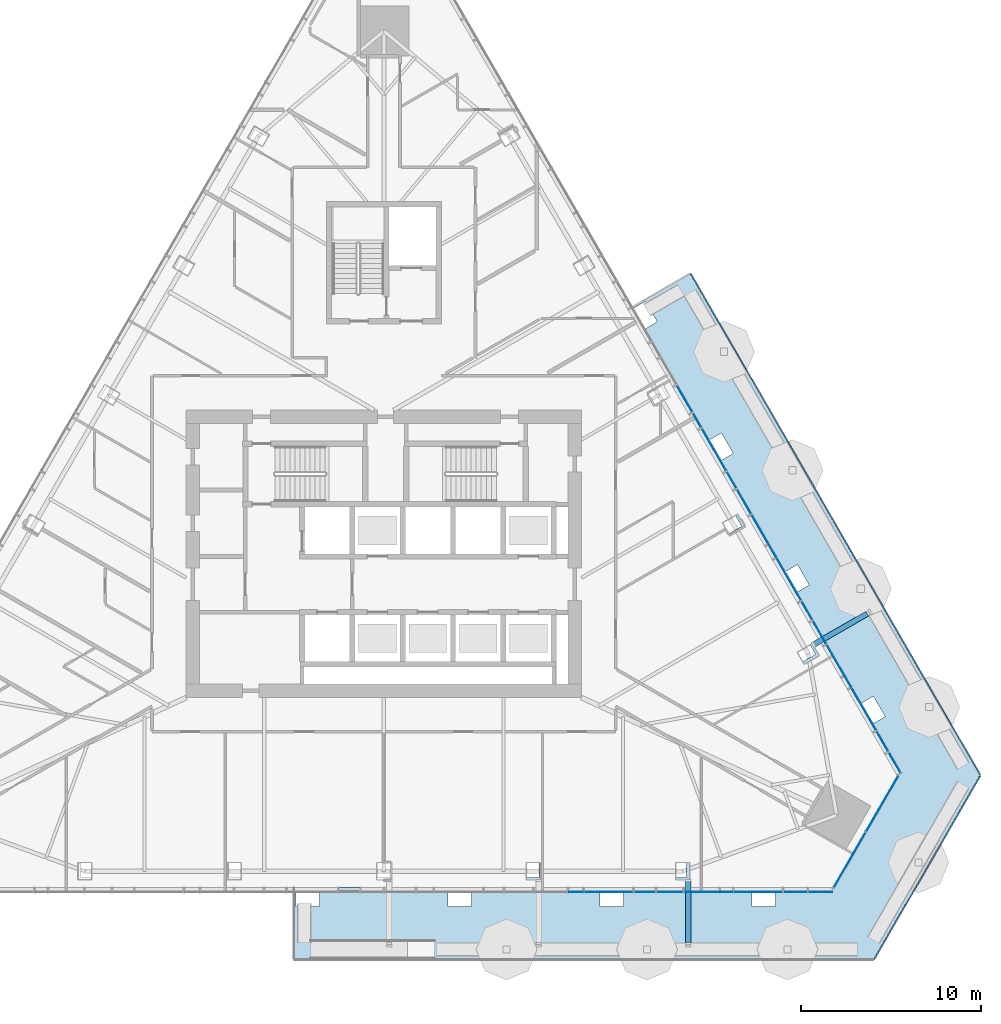
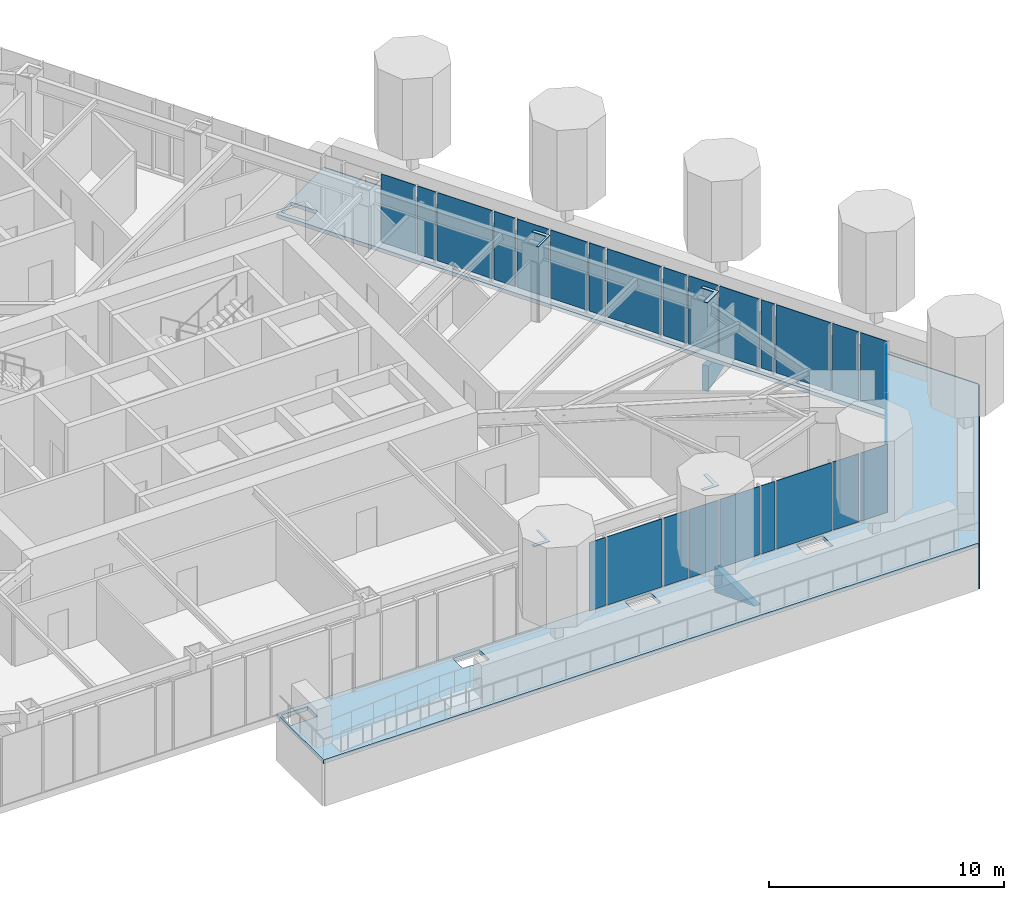
# One storey, part 9 of 18: 34 plates, 1 slab, 3 elements without a shape of their own.
"""IFC4 building model written with IfcOpenShell, lengths in metres."""

from ifc_helpers import new_model, si_unit, direction, frame, origin, place, context, subcontext, project, spatial, polyline, outline, extrude, material, layer, layer_set, type_object, element, aggregate, save


model = new_model("IFC4")

# Units and contexts
model_context = context("Model", 3, precision=1e-05, world=origin(), true_north=direction((0.0, 1.0)))
body_context = subcontext(model_context, "Body", "Model", "MODEL_VIEW")
ifc_project = project(units=[si_unit("LENGTHUNIT", "METRE"), si_unit("AREAUNIT", "SQUARE_METRE"), si_unit("VOLUMEUNIT", "CUBIC_METRE"), si_unit("PLANEANGLEUNIT", "RADIAN"), si_unit("MASSUNIT", "GRAM", prefix="KILO")], contexts=[model_context])

# Site, building, storey
site_placement = place(None, origin())
site = spatial("IfcSite", under=ifc_project, at=site_placement, CompositionType="ELEMENT")
building_placement = place(site_placement, origin())
building = spatial("IfcBuilding", under=site, at=building_placement, Name="Firuza Gate Tower and Library", CompositionType="ELEMENT")
storey_placement = place(building_placement, frame((0.0, 0.0, 226.0)))
storey = spatial("IfcBuildingStorey", under=building, at=storey_placement, Name="L53", CompositionType="ELEMENT", Elevation=226.0)

# Plates
ifc_material_1 = material(Name="Steel S355", Category="steel")
ifc_layer_1 = layer(ifc_material_1, 0.030029296875)
ifc_layer_set_1 = layer_set([ifc_layer_1], Name="Column infill plate 30 Steel S355")
plate_type_1 = type_object("IfcPlateType", Name="Column infill plate 30 Steel S355", PredefinedType="SHEET", material=ifc_layer_set_1)
placement_1 = place(storey_placement, frame((0.0, 0.0, 3.89990234375)))
element("IfcPlate", 1, at=placement_1, inside=storey, type_object=plate_type_1, Name="Infill plate L53:S4", PredefinedType="SHEET", context=body_context, shape_type="SweptSolid", body=[
    extrude(outline(polyline([(83.717529296875, 57.836669921875), (83.62548828125, 57.836669921875), (83.62548828125, 56.99609375), (82.91748046875, 56.99609375), (82.91748046875, 56.836669921875), (83.717529296875, 56.836669921875), (83.717529296875, 57.836669921875)])), origin(), (0.0, 0.0, 1.0), 0.030029296875),
])
element("IfcPlate", 2, at=placement_1, inside=storey, type_object=plate_type_1, Name="Infill plate L53:S5", PredefinedType="SHEET", context=body_context, shape_type="SweptSolid", body=[
    extrude(outline(polyline([(92.03515625, 57.836669921875), (91.85107421875, 57.836669921875), (91.85107421875, 56.99609375), (91.235107421875, 56.99609375), (91.235107421875, 56.836669921875), (92.03515625, 56.836669921875), (92.03515625, 57.836669921875)])), origin(), (0.0, 0.0, 1.0), 0.030029296875),
])
element("IfcPlate", 3, at=placement_1, inside=storey, type_object=plate_type_1, Name="Infill plate L53:E1", PredefinedType="SHEET", context=body_context, shape_type="SweptSolid", body=[
    extrude(outline(polyline([(98.84765625, 70.021728515625), (98.70947265625, 69.94189453125), (99.017333984375, 69.408447265625), (98.28955078125, 68.98828125), (98.381591796875, 68.828857421875), (99.24755859375, 69.328857421875), (98.84765625, 70.021728515625)])), origin(), (0.0, 0.0, 1.0), 0.030029296875),
])
element("IfcPlate", 4, at=placement_1, inside=storey, type_object=plate_type_1, Name="Infill plate L53:E2", PredefinedType="SHEET", context=body_context, shape_type="SweptSolid", body=[
    extrude(outline(polyline([(94.688720703125, 77.224853515625), (94.55078125, 77.145263671875), (94.90478515625, 76.531982421875), (94.1767578125, 76.11181640625), (94.22265625, 76.031982421875), (95.0888671875, 76.531982421875), (94.688720703125, 77.224853515625)])), origin(), (0.0, 0.0, 1.0), 0.030029296875),
])

# Curtain wall, plates
ifc_material_2 = material(Name="Aluminium 6063-T6", Category="aluminium")
ifc_layer_2 = layer(ifc_material_2, 0.14990234375)
ifc_layer_set_2 = layer_set([ifc_layer_2], Name="Corner curtain wall, chamfers")
curtain_wall_type_1 = type_object("IfcCurtainWallType", Name="Corner curtain wall, chamfers", PredefinedType="NOTDEFINED", material=ifc_layer_set_2)
placement_2 = place(storey_placement, origin())
curtain_wall_1 = element("IfcCurtainWall", 5, at=placement_2, inside=storey, type_object=curtain_wall_type_1, Name="CW4 L53 SE corner", PredefinedType="NOTDEFINED")
ifc_material_3 = material(Name="Fritted glass", Category="glass")
ifc_layer_3 = layer(ifc_material_3, 0.030029296875)
ifc_layer_set_3 = layer_set([ifc_layer_3], Name="Fritted glass unit, corners")
plate_type_2 = type_object("IfcPlateType", Name="Fritted glass unit, corners", PredefinedType="CURTAIN_PANEL", material=ifc_layer_set_3)
plate_5_placement = place(storey_placement, frame((100.029052734375, 56.388671875, 0.14990234375), z_axis=(0.866016723041, -0.500015035186, 0.0), x_axis=(0.500015035186, 0.866016723041, 0.0)))
plate_5 = element("IfcPlate", 6, at=plate_5_placement, type_object=plate_type_2, Name="Glass unit", PredefinedType="CURTAIN_PANEL", context=body_context, shape_type="SweptSolid", body=[
    extrude(outline(polyline([(0.0, 0.0), (3.5633694106530625, 0.0), (3.5633694106530625, 3.550048828125), (0.0, 3.550048828125), (0.0, 0.0)])), origin(), (0.0, 0.0, -1.0), 0.030029296875),
])
plate_6_placement = place(storey_placement, frame((101.850830078125, 59.5439453125, 0.14990234375), z_axis=(0.866046390552, -0.49996364809, 0.0), x_axis=(0.49996364809, 0.866046390552, 0.0)))
plate_6 = element("IfcPlate", 7, at=plate_6_placement, type_object=plate_type_2, Name="Glass unit", PredefinedType="CURTAIN_PANEL", context=body_context, shape_type="SweptSolid", body=[
    extrude(outline(polyline([(0.0, 0.0), (3.563247342942594, 0.0), (3.563247342942594, 3.550048828125), (0.0, 3.550048828125), (0.0, 0.0)])), origin(), (0.0, 0.0, -1.0), 0.030029296875),
])
aggregate(curtain_wall_1, [plate_5, plate_6])

ifc_material_4 = material(Name="Aluminium 6063-T6", Category="aluminium")
ifc_layer_4 = layer(ifc_material_4, 0.14990234375)
ifc_layer_set_4 = layer_set([ifc_layer_4], Name="Unitised curtain wall, hotel")
curtain_wall_type_2 = type_object("IfcCurtainWallType", Name="Unitised curtain wall, hotel", PredefinedType="NOTDEFINED", material=ifc_layer_set_4)
curtain_wall_2 = element("IfcCurtainWall", 8, at=placement_2, inside=storey, type_object=curtain_wall_type_2, Name="CW2 L53 S face", PredefinedType="NOTDEFINED")
ifc_material_5 = material(Name="Fritted glass", Category="glass")
ifc_layer_5 = layer(ifc_material_5, 0.030029296875)
ifc_layer_set_5 = layer_set([ifc_layer_5], Name="Fritted glass unit, hotel")
plate_type_3 = type_object("IfcPlateType", Name="Fritted glass unit, hotel", PredefinedType="CURTAIN_PANEL", material=ifc_layer_set_5)
plate_7_placement = place(storey_placement, frame((90.172119140625, 56.176513671875, 0.14990234375), z_axis=(0.0, -1.0, 0.0), x_axis=(1.0, 0.0, 0.0)))
plate_7 = element("IfcPlate", 9, at=plate_7_placement, type_object=plate_type_3, Name="Glass unit", PredefinedType="CURTAIN_PANEL", context=body_context, shape_type="SweptSolid", body=[
    extrude(outline(polyline([(0.0, 0.0), (1.451904296875, 0.0), (1.451904296875, 3.550048828125), (0.0, 3.550048828125), (0.0, 0.0)])), origin(), (0.0, 0.0, -1.0), 0.030029296875),
])
plate_8_placement = place(storey_placement, frame((91.7041015625, 56.176513671875, 0.14990234375), z_axis=(0.0, -1.0, 0.0), x_axis=(1.0, 0.0, 0.0)))
plate_8 = element("IfcPlate", 10, at=plate_8_placement, type_object=plate_type_3, Name="Glass unit", PredefinedType="CURTAIN_PANEL", context=body_context, shape_type="SweptSolid", body=[
    extrude(outline(polyline([(0.0, 0.0), (1.946533203125, 0.0), (1.946533203125, 3.550048828125), (0.0, 3.550048828125), (0.0, 0.0)])), origin(), (0.0, 0.0, -1.0), 0.030029296875),
])
plate_9_placement = place(storey_placement, frame((98.627685546875, 56.176513671875, 0.14990234375), z_axis=(0.0, -1.0, 0.0), x_axis=(1.0, 0.0, 0.0)))
plate_9 = element("IfcPlate", 11, at=plate_9_placement, type_object=plate_type_3, Name="Glass unit", PredefinedType="CURTAIN_PANEL", context=body_context, shape_type="SweptSolid", body=[
    extrude(outline(polyline([(0.0, 0.0), (1.328369140625, 0.0), (1.328369140625, 3.550048828125), (0.0, 3.550048828125), (0.0, 0.0)])), origin(), (0.0, 0.0, -1.0), 0.030029296875),
])

curtain_wall_3 = element("IfcCurtainWall", 12, at=placement_2, inside=storey, type_object=curtain_wall_type_2, Name="CW2 L53 E face", PredefinedType="NOTDEFINED")
plate_10_placement = place(storey_placement, frame((103.779541015625, 62.799072265625, 0.14990234375), z_axis=(0.866063163075, 0.499934593286, 0.0), x_axis=(-0.499934593286, 0.866063163075, 0.0)))
plate_10 = element("IfcPlate", 13, at=plate_10_placement, type_object=plate_type_3, Name="Glass unit", PredefinedType="CURTAIN_PANEL", context=body_context, shape_type="SweptSolid", body=[
    extrude(outline(polyline([(0.0, 0.0), (1.3282987593136344, 0.0), (1.3282987593136344, 3.550048828125), (0.0, 3.550048828125), (0.0, 0.0)])), origin(), (0.0, 0.0, -1.0), 0.030029296875),
])
plate_11_placement = place(storey_placement, frame((100.626708984375, 68.259765625, 0.14990234375), z_axis=(0.866058184233, 0.499943218299, 0.0), x_axis=(-0.499943218299, 0.866058184233, 0.0)))
plate_11 = element("IfcPlate", 14, at=plate_11_placement, type_object=plate_type_3, Name="Glass unit", PredefinedType="CURTAIN_PANEL", context=body_context, shape_type="SweptSolid", body=[
    extrude(outline(polyline([(0.0, 0.0), (1.94651011481157, 0.0), (1.94651011481157, 3.550048828125), (0.0, 3.550048828125), (0.0, 0.0)])), origin(), (0.0, 0.0, -1.0), 0.030029296875),
])
plate_12_placement = place(storey_placement, frame((99.613525390625, 70.014892578125, 0.14990234375), z_axis=(0.866051171823, 0.499955365792, 0.0), x_axis=(-0.499955365792, 0.866051171823, 0.0)))
plate_12 = element("IfcPlate", 15, at=plate_12_placement, type_object=plate_type_3, Name="Glass unit", PredefinedType="CURTAIN_PANEL", context=body_context, shape_type="SweptSolid", body=[
    extrude(outline(polyline([(0.0, 0.0), (1.4517897552215477, 0.0), (1.4517897552215477, 3.550048828125001), (0.0, 3.550048828125001), (0.0, 0.0)])), origin(), (0.0, 0.0, -1.0), 0.030029296875),
])
plate_13_placement = place(storey_placement, frame((96.39892578125, 75.582763671875, 0.14990234375), z_axis=(0.86603391986, 0.499985249434, 0.0), x_axis=(-0.499985249434, 0.86603391986, 0.0)))
plate_13 = element("IfcPlate", 16, at=plate_13_placement, type_object=plate_type_3, Name="Glass unit", PredefinedType="CURTAIN_PANEL", context=body_context, shape_type="SweptSolid", body=[
    extrude(outline(polyline([(0.0, 0.0), (1.8228076811409097, 0.0), (1.8228076811409097, 3.550048828125), (0.0, 3.550048828125), (0.0, 0.0)])), origin(), (0.0, 0.0, -1.0), 0.030029296875),
])
plate_14_placement = place(storey_placement, frame((95.447509765625, 77.230712890625, 0.14990234375), z_axis=(0.865973950769, 0.500089108649, 0.0), x_axis=(-0.500089108649, 0.865973950769, 0.0)))
plate_14 = element("IfcPlate", 17, at=plate_14_placement, type_object=plate_type_3, Name="Glass unit", PredefinedType="CURTAIN_PANEL", context=body_context, shape_type="SweptSolid", body=[
    extrude(outline(polyline([(0.0, 0.0), (1.5754028297138842, 0.0), (1.5754028297138842, 3.550048828125), (0.0, 3.550048828125), (0.0, 0.0)])), origin(), (0.0, 0.0, -1.0), 0.030029296875),
])
plate_15_placement = place(storey_placement, frame((92.171142578125, 82.905517578125, 0.14990234375), z_axis=(0.866006119872, 0.500033399229, 0.0), x_axis=(-0.500033399229, 0.866006119872, 0.0)))
plate_15 = element("IfcPlate", 18, at=plate_15_placement, type_object=plate_type_3, Name="Glass unit", PredefinedType="CURTAIN_PANEL", context=body_context, shape_type="SweptSolid", body=[
    extrude(outline(polyline([(0.0, 0.0), (1.699105252388804, 0.0), (1.699105252388804, 3.550048828125001), (0.0, 3.550048828125001), (0.0, 0.0)])), origin(), (0.0, 0.0, -1.0), 0.030029296875),
])

# Plate
ifc_material_6 = material(Name="Glazed ceramic tile")
ifc_layer_6 = layer(ifc_material_6, 0.030029296875)
ifc_layer_set_6 = layer_set([ifc_layer_6], Name="Opaque ceramic panel, hotel")
plate_type_4 = type_object("IfcPlateType", Name="Opaque ceramic panel, hotel", PredefinedType="CURTAIN_PANEL", material=ifc_layer_set_6)
plate_16_placement = place(storey_placement, frame((85.27490234375, 56.176513671875, 0.14990234375), z_axis=(0.0, -1.0, 0.0), x_axis=(1.0, 0.0, 0.0)))
plate_16 = element("IfcPlate", 19, at=plate_16_placement, type_object=plate_type_4, Name="Opaque ceramic panel", PredefinedType="CURTAIN_PANEL", context=body_context, shape_type="SweptSolid", body=[
    extrude(outline(polyline([(0.0, 0.0), (0.79443359375, 0.0), (0.79443359375, 3.550048828125), (0.0, 3.550048828125), (0.0, 0.0)])), origin(), (0.0, 0.0, -1.0), 0.030029296875),
])

plate_17_placement = place(storey_placement, frame((86.1494140625, 56.176513671875, 0.14990234375), z_axis=(0.0, -1.0, 0.0), x_axis=(1.0, 0.0, 0.0)))
plate_17 = element("IfcPlate", 20, at=plate_17_placement, type_object=plate_type_4, Name="Opaque ceramic panel", PredefinedType="CURTAIN_PANEL", context=body_context, shape_type="SweptSolid", body=[
    extrude(outline(polyline([(0.0, 0.0), (2.697265625, 0.0), (2.697265625, 3.550048828125), (0.0, 3.550048828125), (0.0, 0.0)])), origin(), (0.0, 0.0, -1.0), 0.030029296875),
])

plate_18_placement = place(storey_placement, frame((88.9267578125, 56.176513671875, 0.14990234375), z_axis=(0.0, -1.0, 0.0), x_axis=(1.0, 0.0, 0.0)))
plate_18 = element("IfcPlate", 21, at=plate_18_placement, type_object=plate_type_4, Name="Opaque ceramic panel", PredefinedType="CURTAIN_PANEL", context=body_context, shape_type="SweptSolid", body=[
    extrude(outline(polyline([(0.0, 0.0), (1.165283203125, 0.0), (1.165283203125, 3.550048828125), (0.0, 3.550048828125), (0.0, 0.0)])), origin(), (0.0, 0.0, -1.0), 0.030029296875),
])

plate_19_placement = place(storey_placement, frame((93.73046875, 56.176513671875, 0.14990234375), z_axis=(0.0, -1.0, 0.0), x_axis=(1.0, 0.0, 0.0)))
plate_19 = element("IfcPlate", 22, at=plate_19_placement, type_object=plate_type_4, Name="Opaque ceramic panel", PredefinedType="CURTAIN_PANEL", context=body_context, shape_type="SweptSolid", body=[
    extrude(outline(polyline([(0.0, 0.0), (0.6708984375, 0.0), (0.6708984375, 3.550048828125), (0.0, 3.550048828125), (0.0, 0.0)])), origin(), (0.0, 0.0, -1.0), 0.030029296875),
])

plate_20_placement = place(storey_placement, frame((94.4814453125, 56.176513671875, 0.14990234375), z_axis=(0.0, -1.0, 0.0), x_axis=(1.0, 0.0, 0.0)))
plate_20 = element("IfcPlate", 23, at=plate_20_placement, type_object=plate_type_4, Name="Opaque ceramic panel", PredefinedType="CURTAIN_PANEL", context=body_context, shape_type="SweptSolid", body=[
    extrude(outline(polyline([(0.0, 0.0), (2.697265625, 0.0), (2.697265625, 3.550048828125), (0.0, 3.550048828125), (0.0, 0.0)])), origin(), (0.0, 0.0, -1.0), 0.030029296875),
])

plate_21_placement = place(storey_placement, frame((97.2587890625, 56.176513671875, 0.14990234375), z_axis=(0.0, -1.0, 0.0), x_axis=(1.0, 0.0, 0.0)))
plate_21 = element("IfcPlate", 24, at=plate_21_placement, type_object=plate_type_4, Name="Opaque ceramic panel", PredefinedType="CURTAIN_PANEL", context=body_context, shape_type="SweptSolid", body=[
    extrude(outline(polyline([(0.0, 0.0), (1.2890625, 0.0), (1.2890625, 3.550048828125), (0.0, 3.550048828125), (0.0, 0.0)])), origin(), (0.0, 0.0, -1.0), 0.030029296875),
])

aggregate(curtain_wall_2, [plate_16, plate_17, plate_18, plate_7, plate_8, plate_19, plate_20, plate_21, plate_9])

plate_22_placement = place(storey_placement, frame((103.075439453125, 64.018798828125, 0.14990234375), z_axis=(0.865996321171, 0.50005036918, 0.0), x_axis=(-0.50005036918, 0.865996321171, 0.0)))
plate_22 = element("IfcPlate", 25, at=plate_22_placement, type_object=plate_type_4, Name="Opaque ceramic panel", PredefinedType="CURTAIN_PANEL", context=body_context, shape_type="SweptSolid", body=[
    extrude(outline(polyline([(0.0, 0.0), (1.2889326550371791, 0.0), (1.2889326550371791, 3.550048828125), (0.0, 3.550048828125), (0.0, 0.0)])), origin(), (0.0, 0.0, -1.0), 0.030029296875),
])

plate_23_placement = place(storey_placement, frame((102.390869140625, 65.204345703125, 0.14990234375), z_axis=(0.866028828302, 0.499994068514, 0.0), x_axis=(-0.499994068514, 0.866028828302, 0.0)))
plate_23 = element("IfcPlate", 26, at=plate_23_placement, type_object=plate_type_4, Name="Opaque ceramic panel", PredefinedType="CURTAIN_PANEL", context=body_context, shape_type="SweptSolid", body=[
    extrude(outline(polyline([(0.0, 0.0), (2.6972976229659773, 0.0), (2.6972976229659773, 3.550048828125001), (0.0, 3.550048828125001), (0.0, 0.0)])), origin(), (0.0, 0.0, -1.0), 0.030029296875),
])

plate_24_placement = place(storey_placement, frame((101.002197265625, 67.609619140625, 0.14990234375), z_axis=(0.866040157966, 0.499974444137, 0.0), x_axis=(-0.499974444137, 0.866040157966, 0.0)))
plate_24 = element("IfcPlate", 27, at=plate_24_placement, type_object=plate_type_4, Name="Opaque ceramic panel", PredefinedType="CURTAIN_PANEL", context=body_context, shape_type="SweptSolid", body=[
    extrude(outline(polyline([(0.0, 0.0), (0.6709327300301484, 0.0), (0.6709327300301484, 3.550048828125), (0.0, 3.550048828125), (0.0, 0.0)])), origin(), (0.0, 0.0, -1.0), 0.030029296875),
])

plate_25_placement = place(storey_placement, frame((98.84765625, 71.341552734375, 0.14990234375), z_axis=(0.866004178273, 0.500036761862, 0.0), x_axis=(-0.500036761862, 0.866004178273, 0.0)))
plate_25 = element("IfcPlate", 28, at=plate_25_placement, type_object=plate_type_4, Name="Opaque ceramic panel", PredefinedType="CURTAIN_PANEL", context=body_context, shape_type="SweptSolid", body=[
    extrude(outline(polyline([(0.0, 0.0), (1.1654416561391172, 0.0), (1.1654416561391172, 3.5500488281249996), (0.0, 3.5500488281249996), (0.0, 0.0)])), origin(), (0.0, 0.0, -1.0), 0.030029296875),
])

plate_26_placement = place(storey_placement, frame((98.224853515625, 72.420166015625, 0.14990234375), z_axis=(0.866028828302, 0.499994068514, 0.0), x_axis=(-0.499994068514, 0.866028828302, 0.0)))
plate_26 = element("IfcPlate", 29, at=plate_26_placement, type_object=plate_type_4, Name="Opaque ceramic panel", PredefinedType="CURTAIN_PANEL", context=body_context, shape_type="SweptSolid", body=[
    extrude(outline(polyline([(0.0, 0.0), (2.6972976229659773, 0.0), (2.6972976229659773, 3.550048828125001), (0.0, 3.550048828125001), (0.0, 0.0)])), origin(), (0.0, 0.0, -1.0), 0.030029296875),
])

plate_27_placement = place(storey_placement, frame((96.836181640625, 74.825439453125, 0.14990234375), z_axis=(0.866021818598, 0.500006209673, 0.0), x_axis=(-0.500006209673, 0.866021818598, 0.0)))
plate_27 = element("IfcPlate", 30, at=plate_27_placement, type_object=plate_type_4, Name="Opaque ceramic panel", PredefinedType="CURTAIN_PANEL", context=body_context, shape_type="SweptSolid", body=[
    extrude(outline(polyline([(0.0, 0.0), (0.7944237275264152, 0.0), (0.7944237275264152, 3.550048828125), (0.0, 3.550048828125), (0.0, 0.0)])), origin(), (0.0, 0.0, -1.0), 0.030029296875),
])

plate_28_placement = place(storey_placement, frame((94.619873046875, 78.664306640625, 0.14990234375), z_axis=(0.866013897511, 0.50001992892, 0.0), x_axis=(-0.50001992892, 0.866013897511, 0.0)))
plate_28 = element("IfcPlate", 31, at=plate_28_placement, type_object=plate_type_4, Name="Opaque ceramic panel", PredefinedType="CURTAIN_PANEL", context=body_context, shape_type="SweptSolid", body=[
    extrude(outline(polyline([(0.0, 0.0), (1.0419506575970003, 0.0), (1.0419506575970003, 3.550048828125), (0.0, 3.550048828125), (0.0, 0.0)])), origin(), (0.0, 0.0, -1.0), 0.030029296875),
])

plate_29_placement = place(storey_placement, frame((94.058837890625, 79.6357421875, 0.14990234375), z_axis=(0.866051453367, 0.499954878085, 0.0), x_axis=(-0.499954878085, 0.866051453367, 0.0)))
plate_29 = element("IfcPlate", 32, at=plate_29_placement, type_object=plate_type_4, Name="Opaque ceramic panel", PredefinedType="CURTAIN_PANEL", context=body_context, shape_type="SweptSolid", body=[
    extrude(outline(polyline([(0.0, 0.0), (2.697509058547344, 0.0), (2.697509058547344, 3.550048828125001), (0.0, 3.550048828125001), (0.0, 0.0)])), origin(), (0.0, 0.0, -1.0), 0.030029296875),
])

plate_30_placement = place(storey_placement, frame((92.670166015625, 82.041015625, 0.14990234375), z_axis=(0.866074891173, 0.499914275531, 0.0), x_axis=(-0.499914275531, 0.866074891173, 0.0)))
plate_30 = element("IfcPlate", 33, at=plate_30_placement, type_object=plate_type_4, Name="Opaque ceramic panel", PredefinedType="CURTAIN_PANEL", context=body_context, shape_type="SweptSolid", body=[
    extrude(outline(polyline([(0.0, 0.0), (0.9181261617550599, 0.0), (0.9181261617550599, 3.550048828125), (0.0, 3.550048828125), (0.0, 0.0)])), origin(), (0.0, 0.0, -1.0), 0.030029296875),
])

aggregate(curtain_wall_3, [plate_10, plate_22, plate_23, plate_24, plate_11, plate_12, plate_25, plate_26, plate_27, plate_13, plate_14, plate_28, plate_29, plate_30, plate_15])

# Slab
ifc_material_7 = material(Name="Concrete C40/50", Category="concrete")
ifc_layer_7 = layer(ifc_material_7, 0.199951171875)
ifc_layer_set_7 = layer_set([ifc_layer_7], Name="Planter tray slab 200 C40/50")
slab_type = type_object("IfcSlabType", Name="Planter tray slab 200 C40/50", PredefinedType="FLOOR", material=ifc_layer_set_7)
slab_placement = place(storey_placement, frame((0.0, 0.0, -0.199951171875)))
element("IfcSlab", 34, at=slab_placement, inside=storey, type_object=slab_type, Name="Planter tray L53 band 6", PredefinedType="FLOOR", context=body_context, shape_type="SweptSolid", body=[
    extrude(outline(polyline([(70.02587890625, 56.4365234375), (70.02587890625, 52.4365234375), (102.26220703125, 52.4365234375), (108.171630859375, 62.671875), (92.053466796875, 90.58935546875), (88.58935546875, 88.58935546875), (103.552734375, 62.671875), (99.952880859375, 56.4365234375), (70.02587890625, 56.4365234375)]), holes=[polyline([(70.226318359375, 56.222412109375), (71.31787109375, 56.222412109375), (71.42626953125, 56.222412109375), (71.42626953125, 55.37255859375), (71.31787109375, 55.37255859375), (70.226318359375, 55.37255859375), (70.117919921875, 55.37255859375), (70.117919921875, 56.222412109375), (70.226318359375, 56.222412109375)]), polyline([(78.68212890625, 56.222412109375), (79.773681640625, 56.222412109375), (79.882080078125, 56.222412109375), (79.882080078125, 55.37255859375), (79.773681640625, 55.37255859375), (78.68212890625, 55.37255859375), (78.57373046875, 55.37255859375), (78.57373046875, 56.222412109375), (78.68212890625, 56.222412109375)]), polyline([(95.59326171875, 56.222412109375), (96.68505859375, 56.222412109375), (96.79345703125, 56.222412109375), (96.79345703125, 55.37255859375), (96.68505859375, 55.37255859375), (95.59326171875, 55.37255859375), (95.48486328125, 55.37255859375), (95.48486328125, 56.222412109375), (95.59326171875, 56.222412109375)]), polyline([(87.1376953125, 56.222412109375), (88.229248046875, 56.222412109375), (88.337646484375, 56.222412109375), (88.337646484375, 55.37255859375), (88.229248046875, 55.37255859375), (87.1376953125, 55.37255859375), (87.029296875, 55.37255859375), (87.029296875, 56.222412109375), (87.1376953125, 56.222412109375)]), polyline([(101.55859375, 66.554443359375), (101.50439453125, 66.648193359375), (102.240478515625, 67.0732421875), (102.84033203125, 66.033935546875), (102.84033203125, 66.033935546875), (102.89453125, 65.940185546875), (102.158447265625, 65.51513671875), (101.55859375, 66.554443359375), (101.55859375, 66.554443359375)]), polyline([(97.9306640625, 72.837890625), (97.330810546875, 73.877197265625), (97.330810546875, 73.877197265625), (97.276611328125, 73.97119140625), (98.0126953125, 74.39599609375), (98.612548828125, 73.35693359375), (98.612548828125, 73.35693359375), (98.666748046875, 73.262939453125), (97.9306640625, 72.837890625)]), polyline([(93.048583984375, 81.2939453125), (93.78466796875, 81.718994140625), (94.384765625, 80.6796875), (94.384765625, 80.6796875), (94.43896484375, 80.585693359375), (93.702880859375, 80.160888671875), (93.102783203125, 81.199951171875), (93.102783203125, 81.199951171875), (93.048583984375, 81.2939453125)]), polyline([(88.82080078125, 88.61669921875), (89.556884765625, 89.041748046875), (90.156982421875, 88.00244140625), (90.156982421875, 88.00244140625), (90.211181640625, 87.90869140625), (89.47509765625, 87.483642578125), (88.875, 88.52294921875), (88.875, 88.52294921875), (88.82080078125, 88.61669921875)])]), origin(), (0.0, 0.0, 1.0), 0.199951171875),
])

# Plates
ifc_material_8 = material(Name="Steel S355", Category="steel")
ifc_layer_8 = layer(ifc_material_8, 0.300048828125)
ifc_layer_set_8 = layer_set([ifc_layer_8], Name="Tray bracket web 300 Steel S355")
plate_type_5 = type_object("IfcPlateType", Name="Tray bracket web 300 Steel S355", PredefinedType="SHEET", material=ifc_layer_set_8)
plate_31_placement = place(storey_placement, frame((92.0849609375, 56.802001953125, -0.199951171875), z_axis=(1.0, 0.0, 0.0), x_axis=(0.0, -1.0, 0.0)))
element("IfcPlate", 35, at=plate_31_placement, inside=storey, type_object=plate_type_5, Name="Tray bracket web L53 col:L52:S5", PredefinedType="SHEET", context=body_context, shape_type="SweptSolid", body=[
    extrude(outline(polyline([(0.0, 0.0), (3.429931640625, 0.0), (0.0, 1.333984375), (0.0, 0.0)])), origin(), (0.0, 0.0, -1.0), 0.300048828125),
])
plate_32_placement = place(storey_placement, frame((98.85302734375, 70.0830078125, -0.199951171875), z_axis=(-0.499868315584, 0.86610141847, 0.0), x_axis=(0.86610141847, 0.499868315584, 0.0)))
element("IfcPlate", 36, at=plate_32_placement, inside=storey, type_object=plate_type_5, Name="Tray bracket web L53 col:L52:E1", PredefinedType="SHEET", context=body_context, shape_type="SweptSolid", body=[
    extrude(outline(polyline([(0.0, 0.0), (3.4291257811032914, 0.0), (0.0, 1.333984375), (0.0, 0.0)])), origin(), (0.0, 0.0, -1.0), 0.300048828125),
])
ifc_material_9 = material(Name="Aluminium 6063-T6", Category="aluminium")
ifc_layer_9 = layer(ifc_material_9, 0.050048828125)
ifc_layer_set_9 = layer_set([ifc_layer_9], Name="Tray fascia panel 50")
plate_type_6 = type_object("IfcPlateType", Name="Tray fascia panel 50", PredefinedType="SHEET", material=ifc_layer_set_9)
plate_33_placement = place(storey_placement, frame((102.320068359375, 52.43798828125, -2.39990234375), z_axis=(0.866000946426, -0.500042358996, 0.0), x_axis=(0.500042358996, 0.866000946426, 0.0)))
element("IfcPlate", 37, at=plate_33_placement, inside=storey, type_object=plate_type_6, Name="Tray fascia L53 2", PredefinedType="SHEET", context=body_context, shape_type="SweptSolid", body=[
    extrude(outline(polyline([(0.0, 0.0), (11.758769445669861, 0.0), (11.758769445669861, 2.39990234375), (0.0, 2.39990234375), (0.0, 0.0)])), origin(), (0.0, 0.0, -1.0), 0.050048828125),
])
plate_34_placement = place(storey_placement, frame((108.199951171875, 62.722900390625, -2.39990234375), z_axis=(0.86602498643, 0.500000722879, 0.0), x_axis=(-0.500000722879, 0.86602498643, 0.0)))
element("IfcPlate", 38, at=plate_34_placement, inside=storey, type_object=plate_type_6, Name="Tray fascia L53 3", PredefinedType="SHEET", context=body_context, shape_type="SweptSolid", body=[
    extrude(outline(polyline([(0.0, 0.0), (32.17573473168526, 0.0), (32.17573473168526, 2.39990234375), (0.0, 2.39990234375), (0.0, 0.0)])), origin(), (0.0, 0.0, -1.0), 0.050048828125),
])

save(model, "model.ifc")
